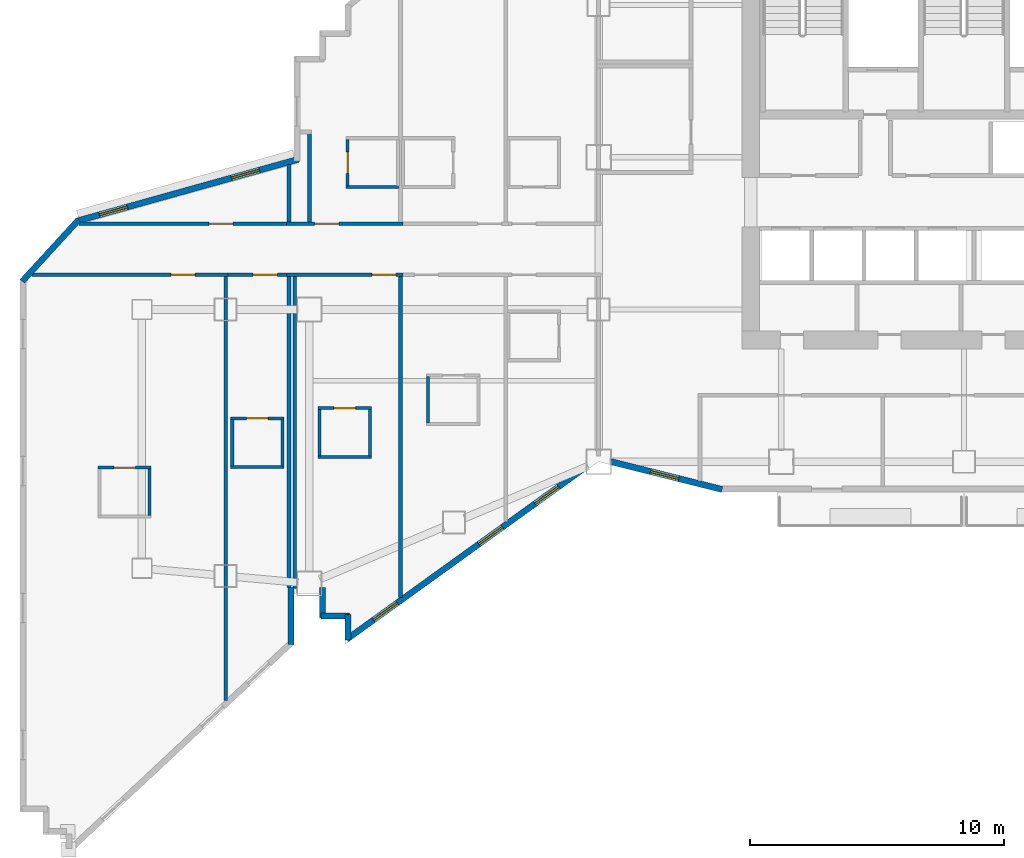
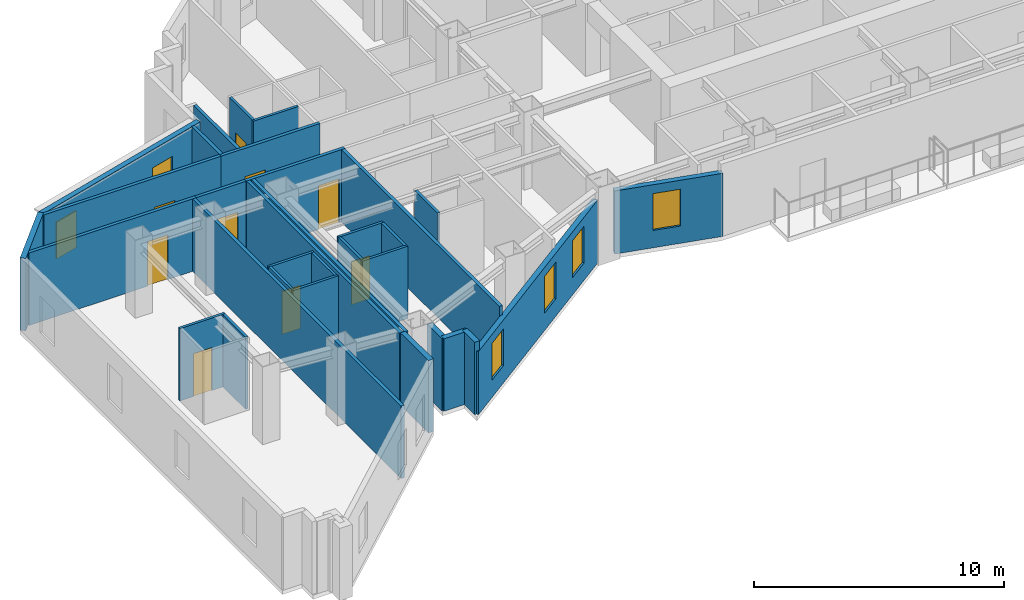
# One storey, part 7 of 15: 32 walls, 9 doors, 6 windows, 15 openings.
"""IFC4 building model written with IfcOpenShell, lengths in metres."""

from ifc_helpers import new_model, si_unit, direction, frame, frame_2d, origin, place, context, subcontext, project, spatial, rectangle, extrude, material, layer, layer_set, type_object, element, fill, save


model = new_model("IFC4")

# Units and contexts
model_context = context("Model", 3, precision=1e-05, world=origin(), true_north=direction((0.0, 1.0)))
body_context = subcontext(model_context, "Body", "Model", "MODEL_VIEW")
ifc_project = project(units=[si_unit("LENGTHUNIT", "METRE"), si_unit("AREAUNIT", "SQUARE_METRE"), si_unit("VOLUMEUNIT", "CUBIC_METRE"), si_unit("PLANEANGLEUNIT", "RADIAN"), si_unit("MASSUNIT", "GRAM", prefix="KILO")], contexts=[model_context])

# Site, building, storey
site_placement = place(None, origin())
site = spatial("IfcSite", under=ifc_project, at=site_placement, CompositionType="ELEMENT")
building_placement = place(site_placement, origin())
building = spatial("IfcBuilding", under=site, at=building_placement, Name="Haolan Belvedere Tower", CompositionType="ELEMENT")
storey_placement = place(building_placement, frame((0.0, 0.0, 156.199951171875)))
storey = spatial("IfcBuildingStorey", under=building, at=storey_placement, Name="L39", CompositionType="ELEMENT", Elevation=156.199951171875)

# Walls
ifc_material_1 = material(Name="Precast concrete C40/50", Category="concrete")
ifc_layer_1 = layer(ifc_material_1, 0.239990234375, Name="Precast concrete C40/50")
ifc_layer_set_1 = layer_set([ifc_layer_1], Name="Precast concrete C40/50")
wall_type_1 = type_object("IfcWallType", Name="WL-EXT-240", PredefinedType="SOLIDWALL", material=ifc_layer_set_1)
wall_1_placement = place(storey_placement, frame((13.1201171875, 16.639892578125, 0.0), z_axis=(0.0, 0.0, 1.0), x_axis=(0.0, -1.0, 0.0)))
element("IfcWall", 1, at=wall_1_placement, inside=storey, type_object=wall_type_1, Name="L39 pale-metal exterior spandrel wall 2.1", PredefinedType="SOLIDWALL", context=body_context, shape_type="SweptSolid", body=[
    extrude(rectangle(XDim=1.1748046875, YDim=0.239990234375, at=frame_2d((0.58740234375, 0.0))), origin(), (0.0, 0.0, 1.0), 3.5400390625),
])
wall_2_placement = place(storey_placement, frame((13.06494140625, 15.52001953125, 0.0), z_axis=(0.0, 0.0, 1.0), x_axis=(1.0, 0.0, 0.0)))
element("IfcWall", 2, at=wall_2_placement, inside=storey, type_object=wall_type_1, Name="L39 pale-metal exterior spandrel wall 3.1", PredefinedType="SOLIDWALL", context=body_context, shape_type="SweptSolid", body=[
    extrude(rectangle(XDim=1.110107421875, YDim=0.239990234375, at=frame_2d((0.55517578125, 0.0))), origin(), (0.0, 0.0, 1.0), 3.5400390625),
])
wall_3_placement = place(storey_placement, frame((14.1201171875, 15.574951171875, 0.0), z_axis=(0.0, 0.0, 1.0), x_axis=(0.0, -1.0, 0.0)))
element("IfcWall", 3, at=wall_3_placement, inside=storey, type_object=wall_type_1, Name="L39 pale-metal exterior spandrel wall 4.1", PredefinedType="SOLIDWALL", context=body_context, shape_type="SweptSolid", body=[
    extrude(rectangle(XDim=0.99560546875, YDim=0.239990234375, at=frame_2d((0.497802734375, 0.0))), origin(), (0.0, 0.0, 1.0), 3.5400390625),
])

# Wall, openings, windows
wall_4_placement = place(storey_placement, frame((14.075439453125, 14.602294921875, 0.0), z_axis=(0.0, 0.0, 1.0), x_axis=(0.811543504691, 0.584291998913, 0.0)))
wall_4 = element("IfcWall", 4, at=wall_4_placement, inside=storey, type_object=wall_type_1, Name="L39 pale-metal exterior spandrel wall 5.1", PredefinedType="SOLIDWALL", context=body_context, shape_type="SweptSolid", body=[
    extrude(rectangle(XDim=11.623046875, YDim=0.239990234375, at=frame_2d((5.8115234375, 0.0))), origin(), (0.0, 0.0, 1.0), 3.0849609375),
])
opening_1_placement = place(wall_4_placement, frame((1.29638671875, 0.0, 0.85009765625)))
opening_1 = element("IfcOpeningElement", 5, at=opening_1_placement, cuts=wall_4, Name="Opening W-02", PredefinedType="OPENING", context=body_context, shape_type="SweptSolid", body=[
    extrude(rectangle(XDim=1.14990234375, YDim=1.800048828125, at=frame_2d((0.574951171875, 0.89990234375))), frame((0.0, 0.1298828125, 0.0), z_axis=(0.0, -1.0, 0.0), x_axis=(1.0, 0.0, 0.0)), (0.0, 0.0, 1.0), 0.260009765625),
])
opening_2_placement = place(wall_4_placement, frame((6.409912109375, 0.0, 0.85009765625)))
opening_2 = element("IfcOpeningElement", 6, at=opening_2_placement, cuts=wall_4, Name="Opening W-02", PredefinedType="OPENING", context=body_context, shape_type="SweptSolid", body=[
    extrude(rectangle(XDim=1.14990234375, YDim=1.800048828125, at=frame_2d((0.574951171875, 0.89990234375))), frame((0.0, 0.1298828125, 0.0), z_axis=(0.0, -1.0, 0.0), x_axis=(1.0, 0.0, 0.0)), (0.0, 0.0, 1.0), 0.260009765625),
])
opening_3_placement = place(wall_4_placement, frame((9.140869140625, 0.0, 0.85009765625)))
opening_3 = element("IfcOpeningElement", 7, at=opening_3_placement, cuts=wall_4, Name="Opening W-02", PredefinedType="OPENING", context=body_context, shape_type="SweptSolid", body=[
    extrude(rectangle(XDim=1.14990234375, YDim=1.800048828125, at=frame_2d((0.574951171875, 0.89990234375))), frame((0.0, 0.1298828125, 0.0), z_axis=(0.0, -1.0, 0.0), x_axis=(1.0, 0.0, 0.0)), (0.0, 0.0, 1.0), 0.260009765625),
])
ifc_material_2 = material(Name="Anodised aluminium 6063-T6 and Low-E glass", Category="aluminium")
window_type = type_object("IfcWindowType", Name="WN-DECO-Z2", PartitioningType="SINGLE_PANEL", PredefinedType="WINDOW", material=ifc_material_2)
window_1_placement = place(opening_1_placement, origin())
window_1 = element("IfcWindow", 8, at=window_1_placement, inside=storey, type_object=window_type, Name="L39 Art Deco chevron window 1", OverallHeight=1.800048828125, OverallWidth=1.14990234375, PartitioningType="SINGLE_PANEL", PredefinedType="WINDOW", context=body_context, shape_type="SweptSolid", body=[
    extrude(rectangle(XDim=1.14990234375, YDim=1.800048828125, at=frame_2d((0.574951171875, 0.89990234375))), frame((0.0, 0.030029296875, 0.0), z_axis=(0.0, -1.0, 0.0), x_axis=(1.0, 0.0, 0.0)), (0.0, 0.0, 1.0), 0.06005859375),
])
fill(opening_1, window_1)
window_2_placement = place(opening_2_placement, origin())
window_2 = element("IfcWindow", 9, at=window_2_placement, inside=storey, type_object=window_type, Name="L39 Art Deco chevron window 2", OverallHeight=1.800048828125, OverallWidth=1.14990234375, PartitioningType="SINGLE_PANEL", PredefinedType="WINDOW", context=body_context, shape_type="SweptSolid", body=[
    extrude(rectangle(XDim=1.14990234375, YDim=1.800048828125, at=frame_2d((0.574951171875, 0.89990234375))), frame((0.0, 0.030029296875, 0.0), z_axis=(0.0, -1.0, 0.0), x_axis=(1.0, 0.0, 0.0)), (0.0, 0.0, 1.0), 0.06005859375),
])
fill(opening_2, window_2)
window_3_placement = place(opening_3_placement, origin())
window_3 = element("IfcWindow", 10, at=window_3_placement, inside=storey, type_object=window_type, Name="L39 Art Deco guestroom window 2", OverallHeight=1.800048828125, OverallWidth=1.14990234375, PartitioningType="SINGLE_PANEL", PredefinedType="WINDOW", context=body_context, shape_type="SweptSolid", body=[
    extrude(rectangle(XDim=1.14990234375, YDim=1.800048828125, at=frame_2d((0.574951171875, 0.89990234375))), frame((0.0, 0.030029296875, 0.0), z_axis=(0.0, -1.0, 0.0), x_axis=(1.0, 0.0, 0.0)), (0.0, 0.0, 1.0), 0.06005859375),
])
fill(opening_3, window_3)

# Wall, opening, window
wall_5_placement = place(storey_placement, frame((24.491943359375, 21.6005859375, 0.0), z_axis=(0.0, 0.0, 1.0), x_axis=(0.970145683738, -0.242522890311, 0.0)))
wall_5 = element("IfcWall", 11, at=wall_5_placement, inside=storey, type_object=wall_type_1, Name="L39 pale-metal exterior spandrel wall 6.1", PredefinedType="SOLIDWALL", context=body_context, shape_type="SweptSolid", body=[
    extrude(rectangle(XDim=4.510986328125, YDim=0.239990234375, at=frame_2d((2.25537109375, 0.0))), origin(), (0.0, 0.0, 1.0), 3.0849609375),
])
opening_4_placement = place(wall_5_placement, frame((1.60009765625, 0.0, 0.85009765625)))
opening_4 = element("IfcOpeningElement", 12, at=opening_4_placement, cuts=wall_5, Name="Opening W-02", PredefinedType="OPENING", context=body_context, shape_type="SweptSolid", body=[
    extrude(rectangle(XDim=1.14990234375, YDim=1.800048828125, at=frame_2d((0.574951171875, 0.89990234375))), frame((0.0, 0.1298828125, 0.0), z_axis=(0.0, -1.0, 0.0), x_axis=(1.0, 0.0, 0.0)), (0.0, 0.0, 1.0), 0.260009765625),
])
window_4_placement = place(opening_4_placement, origin())
window_4 = element("IfcWindow", 13, at=window_4_placement, inside=storey, type_object=window_type, Name="L39 Art Deco chevron window 1", OverallHeight=1.800048828125, OverallWidth=1.14990234375, PartitioningType="SINGLE_PANEL", PredefinedType="WINDOW", context=body_context, shape_type="SweptSolid", body=[
    extrude(rectangle(XDim=1.14990234375, YDim=1.800048828125, at=frame_2d((0.574951171875, 0.89990234375))), frame((0.0, 0.030029296875, 0.0), z_axis=(0.0, -1.0, 0.0), x_axis=(1.0, 0.0, 0.0)), (0.0, 0.0, 1.0), 0.06005859375),
])
fill(opening_4, window_4)

# Wall, openings, windows
wall_6_placement = place(storey_placement, frame((12.173095703125, 33.523681640625, 0.0), z_axis=(0.0, 0.0, 1.0), x_axis=(-0.963197271032, -0.268795493036, 0.0)))
wall_6 = element("IfcWall", 14, at=wall_6_placement, inside=storey, type_object=wall_type_1, Name="L39 pale-metal exterior spandrel wall 42.1", PredefinedType="SOLIDWALL", context=body_context, shape_type="SweptSolid", body=[
    extrude(rectangle(XDim=9.095458984375, YDim=0.239990234375, at=frame_2d((4.5478515625, 0.0))), origin(), (0.0, 0.0, 1.0), 3.5400390625),
])
opening_5_placement = place(wall_6_placement, frame((1.60009765625, 0.0, 0.85009765625)))
opening_5 = element("IfcOpeningElement", 15, at=opening_5_placement, cuts=wall_6, Name="Opening W-02", PredefinedType="OPENING", context=body_context, shape_type="SweptSolid", body=[
    extrude(rectangle(XDim=1.14990234375, YDim=1.800048828125, at=frame_2d((0.574951171875, 0.89990234375))), frame((0.0, 0.1298828125, 0.0), z_axis=(0.0, -1.0, 0.0), x_axis=(1.0, 0.0, 0.0)), (0.0, 0.0, 1.0), 0.260009765625),
])
opening_6_placement = place(wall_6_placement, frame((7.0, 0.0, 0.85009765625)))
opening_6 = element("IfcOpeningElement", 16, at=opening_6_placement, cuts=wall_6, Name="Opening W-02", PredefinedType="OPENING", context=body_context, shape_type="SweptSolid", body=[
    extrude(rectangle(XDim=1.14990234375, YDim=1.800048828125, at=frame_2d((0.574951171875, 0.89990234375))), frame((0.0, 0.1298828125, 0.0), z_axis=(0.0, -1.0, 0.0), x_axis=(1.0, 0.0, 0.0)), (0.0, 0.0, 1.0), 0.260009765625),
])
window_5_placement = place(opening_5_placement, origin())
window_5 = element("IfcWindow", 17, at=window_5_placement, inside=storey, type_object=window_type, Name="L39 Art Deco chevron window 1", OverallHeight=1.800048828125, OverallWidth=1.14990234375, PartitioningType="SINGLE_PANEL", PredefinedType="WINDOW", context=body_context, shape_type="SweptSolid", body=[
    extrude(rectangle(XDim=1.14990234375, YDim=1.800048828125, at=frame_2d((0.574951171875, 0.89990234375))), frame((0.0, 0.030029296875, 0.0), z_axis=(0.0, -1.0, 0.0), x_axis=(1.0, 0.0, 0.0)), (0.0, 0.0, 1.0), 0.06005859375),
])
fill(opening_5, window_5)
window_6_placement = place(opening_6_placement, origin())
window_6 = element("IfcWindow", 18, at=window_6_placement, inside=storey, type_object=window_type, Name="L39 Art Deco chevron window 2", OverallHeight=1.800048828125, OverallWidth=1.14990234375, PartitioningType="SINGLE_PANEL", PredefinedType="WINDOW", context=body_context, shape_type="SweptSolid", body=[
    extrude(rectangle(XDim=1.14990234375, YDim=1.800048828125, at=frame_2d((0.574951171875, 0.89990234375))), frame((0.0, 0.030029296875, 0.0), z_axis=(0.0, -1.0, 0.0), x_axis=(1.0, 0.0, 0.0)), (0.0, 0.0, 1.0), 0.06005859375),
])
fill(opening_6, window_6)

# Walls
wall_7_placement = place(storey_placement, frame((3.50244140625, 31.134033203125, 0.0), z_axis=(0.0, 0.0, 1.0), x_axis=(-0.675781844312, -0.737101688302, 0.0)))
element("IfcWall", 19, at=wall_7_placement, inside=storey, type_object=wall_type_1, Name="L39 pale-metal exterior spandrel wall 43.1", PredefinedType="SOLIDWALL", context=body_context, shape_type="SweptSolid", body=[
    extrude(rectangle(XDim=3.28466796875, YDim=0.239990234375, at=frame_2d((1.642333984375, 0.0))), origin(), (0.0, 0.0, 1.0), 3.5400390625),
])
wall_8_placement = place(storey_placement, frame((11.8798828125, 14.397216796875, 0.0), z_axis=(0.0, 0.0, 1.0), x_axis=(0.0, 1.0, 0.0)))
element("IfcWall", 20, at=wall_8_placement, inside=storey, type_object=wall_type_1, Name="L39 pale-metal exterior spandrel wall 50.1", PredefinedType="SOLIDWALL", context=body_context, shape_type="SweptSolid", body=[
    extrude(rectangle(XDim=2.24267578125, YDim=0.239990234375, at=frame_2d((1.121337890625, 0.0))), origin(), (0.0, 0.0, 1.0), 3.5400390625),
])

# Wall, opening, door
ifc_material_3 = material(Name="Double gypsum acoustic stud partition", Category="masonry")
ifc_layer_2 = layer(ifc_material_3, 0.14990234375, Name="Double gypsum acoustic stud partition")
ifc_layer_set_2 = layer_set([ifc_layer_2], Name="Double gypsum acoustic stud partition")
wall_type_2 = type_object("IfcWallType", Name="WL-PART-150", PredefinedType="PARTITIONING", material=ifc_layer_set_2)
wall_9_placement = place(storey_placement, frame((11.699951171875, 30.97998046875, 0.0), z_axis=(0.0, 0.0, 1.0), x_axis=(1.0, 0.0, 0.0)))
wall_9 = element("IfcWall", 21, at=wall_9_placement, inside=storey, type_object=wall_type_2, Name="L39 interior partition IW-L39-T2N1-S", PredefinedType="PARTITIONING", context=body_context, shape_type="SweptSolid", body=[
    extrude(rectangle(XDim=4.590087890625, YDim=0.14990234375, at=frame_2d((2.294921875, 0.0))), origin(), (0.0, 0.0, 1.0), 3.5400390625),
])
opening_7_placement = place(wall_9_placement, frame((1.108642578125, 0.0, 0.0)))
opening_7 = element("IfcOpeningElement", 22, at=opening_7_placement, cuts=wall_9, Name="Opening ID-02", PredefinedType="OPENING", context=body_context, shape_type="SweptSolid", body=[
    extrude(rectangle(XDim=0.949951171875, YDim=2.14990234375, at=frame_2d((0.47509765625, 1.074951171875))), frame((0.0, 0.0849609375, 0.0), z_axis=(0.0, -1.0, 0.0), x_axis=(1.0, 0.0, 0.0)), (0.0, 0.0, 1.0), 0.169921875),
])
ifc_material_4 = material(Name="Acoustic oak veneer fire-rated timber", Category="wood")
door_type_1 = type_object("IfcDoorType", Name="DR-GUEST-950", OperationType="NOTDEFINED", PredefinedType="DOOR", material=ifc_material_4)
door_1_placement = place(opening_7_placement, origin())
door_1 = element("IfcDoor", 23, at=door_1_placement, inside=storey, type_object=door_type_1, Name="L39 door ID-L39-T2N1-ENT", OperationType="SINGLE_SWING_LEFT", OverallHeight=2.14990234375, OverallWidth=0.949951171875, PredefinedType="DOOR", context=body_context, shape_type="SweptSolid", body=[
    extrude(rectangle(XDim=0.949951171875, YDim=2.14990234375, at=frame_2d((0.47509765625, 1.074951171875))), frame((0.0, 0.02490234375, 0.0), z_axis=(0.0, -1.0, 0.0), x_axis=(1.0, 0.0, 0.0)), (0.0, 0.0, 1.0), 0.050048828125),
])
fill(opening_7, door_1)

# Wall
wall_10_placement = place(storey_placement, frame((11.800048828125, 31.0400390625, 0.0), z_axis=(0.0, 0.0, 1.0), x_axis=(0.0, 1.0, 0.0)))
element("IfcWall", 24, at=wall_10_placement, inside=storey, type_object=wall_type_2, Name="L39 interior partition IW-L39-T2N1-W", PredefinedType="PARTITIONING", context=body_context, shape_type="SweptSolid", body=[
    extrude(rectangle(XDim=2.2705078125, YDim=0.14990234375, at=frame_2d((1.13525390625, 0.0))), origin(), (0.0, 0.0, 1.0), 3.5400390625),
])

# Wall, opening, door
wall_11_placement = place(storey_placement, frame((11.699951171875, 28.969970703125, 0.0), z_axis=(0.0, 0.0, 1.0), x_axis=(1.0, 0.0, 0.0)))
wall_11 = element("IfcWall", 25, at=wall_11_placement, inside=storey, type_object=wall_type_2, Name="L39 interior partition IW-L39-T2S1-N", PredefinedType="PARTITIONING", context=body_context, shape_type="SweptSolid", body=[
    extrude(rectangle(XDim=4.590087890625, YDim=0.14990234375, at=frame_2d((2.294921875, 0.0))), origin(), (0.0, 0.0, 1.0), 3.5400390625),
])
opening_8_placement = place(wall_11_placement, frame((4.311279296875, 0.0, 0.0), z_axis=(0.0, 0.0, 1.0), x_axis=(-1.0, 0.0, 0.0)))
opening_8 = element("IfcOpeningElement", 26, at=opening_8_placement, cuts=wall_11, Name="Opening ID-02", PredefinedType="OPENING", context=body_context, shape_type="SweptSolid", body=[
    extrude(rectangle(XDim=0.949951171875, YDim=2.14990234375, at=frame_2d((0.47509765625, 1.074951171875))), frame((0.0, 0.0849609375, 0.0), z_axis=(0.0, -1.0, 0.0), x_axis=(1.0, 0.0, 0.0)), (0.0, 0.0, 1.0), 0.169921875),
])
door_2_placement = place(opening_8_placement, origin())
door_2 = element("IfcDoor", 27, at=door_2_placement, inside=storey, type_object=door_type_1, Name="L39 door ID-L39-T2S1-ENT", OperationType="SINGLE_SWING_RIGHT", OverallHeight=2.14990234375, OverallWidth=0.949951171875, PredefinedType="DOOR", context=body_context, shape_type="SweptSolid", body=[
    extrude(rectangle(XDim=0.949951171875, YDim=2.14990234375, at=frame_2d((0.47509765625, 1.074951171875))), frame((0.0, 0.02490234375, 0.0), z_axis=(0.0, -1.0, 0.0), x_axis=(1.0, 0.0, 0.0)), (0.0, 0.0, 1.0), 0.050048828125),
])
fill(opening_8, door_2)

# Walls
wall_12_placement = place(storey_placement, frame((11.800048828125, 16.64208984375, 0.0), z_axis=(0.0, 0.0, 1.0), x_axis=(0.0, 1.0, 0.0)))
element("IfcWall", 28, at=wall_12_placement, inside=storey, type_object=wall_type_2, Name="L39 interior partition IW-L39-T2S1-W", PredefinedType="PARTITIONING", context=body_context, shape_type="SweptSolid", body=[
    extrude(rectangle(XDim=12.267822265625, YDim=0.14990234375, at=frame_2d((6.1337890625, 0.0))), origin(), (0.0, 0.0, 1.0), 3.5400390625),
])
wall_13_placement = place(storey_placement, frame((16.18994140625, 16.254150390625, 0.0), z_axis=(0.0, 0.0, 1.0), x_axis=(0.0, 1.0, 0.0)))
element("IfcWall", 29, at=wall_13_placement, inside=storey, type_object=wall_type_2, Name="L39 interior partition IW-L39-T2S1-E", PredefinedType="PARTITIONING", context=body_context, shape_type="SweptSolid", body=[
    extrude(rectangle(XDim=12.65576171875, YDim=0.14990234375, at=frame_2d((6.327880859375, 0.0))), origin(), (0.0, 0.0, 1.0), 3.5400390625),
])

# Wall, opening, door
wall_14_placement = place(storey_placement, frame((1.660888671875, 28.969970703125, 0.0), z_axis=(0.0, 0.0, 1.0), x_axis=(1.0, 0.0, 0.0)))
wall_14 = element("IfcWall", 30, at=wall_14_placement, inside=storey, type_object=wall_type_2, Name="L39 interior partition IW-L39-T1S1-N", PredefinedType="PARTITIONING", context=body_context, shape_type="SweptSolid", body=[
    extrude(rectangle(XDim=7.739013671875, YDim=0.14990234375, at=frame_2d((3.86962890625, 0.0))), origin(), (0.0, 0.0, 1.0), 3.5400390625),
])
opening_9_placement = place(wall_14_placement, frame((6.434326171875, 0.0, 0.0), z_axis=(0.0, 0.0, 1.0), x_axis=(-1.0, 0.0, 0.0)))
opening_9 = element("IfcOpeningElement", 31, at=opening_9_placement, cuts=wall_14, Name="Opening ID-01", PredefinedType="OPENING", context=body_context, shape_type="SweptSolid", body=[
    extrude(rectangle(XDim=0.949951171875, YDim=2.179931640625, at=frame_2d((0.47509765625, 1.08984375))), frame((0.0, 0.0849609375, 0.0), z_axis=(0.0, -1.0, 0.0), x_axis=(1.0, 0.0, 0.0)), (0.0, 0.0, 1.0), 0.169921875),
])
ifc_material_5 = material(Name="Acoustic walnut veneer fire-rated timber", Category="wood")
door_type_2 = type_object("IfcDoorType", Name="DR-SUITE-950", OperationType="NOTDEFINED", PredefinedType="DOOR", material=ifc_material_5)
door_3_placement = place(opening_9_placement, origin())
door_3 = element("IfcDoor", 32, at=door_3_placement, inside=storey, type_object=door_type_2, Name="L39 door ID-L39-T1S1-ENT", OperationType="SINGLE_SWING_LEFT", OverallHeight=2.179931640625, OverallWidth=0.949951171875, PredefinedType="DOOR", context=body_context, shape_type="SweptSolid", body=[
    extrude(rectangle(XDim=0.949951171875, YDim=2.179931640625, at=frame_2d((0.47509765625, 1.08984375))), frame((0.0, 0.02490234375, 0.0), z_axis=(0.0, -1.0, 0.0), x_axis=(1.0, 0.0, 0.0)), (0.0, 0.0, 1.0), 0.050048828125),
])
fill(opening_9, door_3)

# Wall
wall_15_placement = place(storey_placement, frame((9.300048828125, 12.187744140625, 0.0), z_axis=(0.0, 0.0, 1.0), x_axis=(0.0, 1.0, 0.0)))
element("IfcWall", 33, at=wall_15_placement, inside=storey, type_object=wall_type_2, Name="L39 interior partition IW-L39-T1S1-E", PredefinedType="PARTITIONING", context=body_context, shape_type="SweptSolid", body=[
    extrude(rectangle(XDim=16.72216796875, YDim=0.14990234375, at=frame_2d((8.361083984375, 0.0))), origin(), (0.0, 0.0, 1.0), 3.5400390625),
])

# Wall, opening, door
wall_16_placement = place(storey_placement, frame((9.402099609375, 28.969970703125, 0.0), z_axis=(0.0, 0.0, 1.0), x_axis=(1.0, 0.0, 0.0)))
wall_16 = element("IfcWall", 34, at=wall_16_placement, inside=storey, type_object=wall_type_2, Name="L39 interior partition IW-L39-T1S2-N", PredefinedType="PARTITIONING", context=body_context, shape_type="SweptSolid", body=[
    extrude(rectangle(XDim=2.2958984375, YDim=0.14990234375, at=frame_2d((1.14794921875, 0.0))), origin(), (0.0, 0.0, 1.0), 3.5400390625),
])
opening_10_placement = place(wall_16_placement, frame((1.93408203125, 0.0, 0.0), z_axis=(0.0, 0.0, 1.0), x_axis=(-1.0, 0.0, 0.0)))
opening_10 = element("IfcOpeningElement", 35, at=opening_10_placement, cuts=wall_16, Name="Opening ID-02", PredefinedType="OPENING", context=body_context, shape_type="SweptSolid", body=[
    extrude(rectangle(XDim=0.949951171875, YDim=2.14990234375, at=frame_2d((0.47509765625, 1.074951171875))), frame((0.0, 0.0849609375, 0.0), z_axis=(0.0, -1.0, 0.0), x_axis=(1.0, 0.0, 0.0)), (0.0, 0.0, 1.0), 0.169921875),
])
door_4_placement = place(opening_10_placement, origin())
door_4 = element("IfcDoor", 36, at=door_4_placement, inside=storey, type_object=door_type_1, Name="L39 door ID-L39-T1S2-ENT", OperationType="SINGLE_SWING_RIGHT", OverallHeight=2.14990234375, OverallWidth=0.949951171875, PredefinedType="DOOR", context=body_context, shape_type="SweptSolid", body=[
    extrude(rectangle(XDim=0.949951171875, YDim=2.14990234375, at=frame_2d((0.47509765625, 1.074951171875))), frame((0.0, 0.02490234375, 0.0), z_axis=(0.0, -1.0, 0.0), x_axis=(1.0, 0.0, 0.0)), (0.0, 0.0, 1.0), 0.050048828125),
])
fill(opening_10, door_4)

# Wall
wall_17_placement = place(storey_placement, frame((12.02001953125, 16.612060546875, 0.0), z_axis=(0.0, 0.0, 1.0), x_axis=(0.0, 1.0, 0.0)))
element("IfcWall", 37, at=wall_17_placement, inside=storey, type_object=wall_type_2, Name="L39 interior partition IW-L39-T1S2-E", PredefinedType="PARTITIONING", context=body_context, shape_type="SweptSolid", body=[
    extrude(rectangle(XDim=12.2978515625, YDim=0.14990234375, at=frame_2d((6.14892578125, 0.0))), origin(), (0.0, 0.0, 1.0), 3.5400390625),
])

# Wall, opening, door
wall_18_placement = place(storey_placement, frame((3.51220703125, 30.97998046875, 0.0), z_axis=(0.0, 0.0, 1.0), x_axis=(1.0, 0.0, 0.0)))
wall_18 = element("IfcWall", 38, at=wall_18_placement, inside=storey, type_object=wall_type_2, Name="L39 interior partition IW-L39-T1N1-S", PredefinedType="PARTITIONING", context=body_context, shape_type="SweptSolid", body=[
    extrude(rectangle(XDim=8.185791015625, YDim=0.14990234375, at=frame_2d((4.0927734375, 0.0))), origin(), (0.0, 0.0, 1.0), 3.5400390625),
])
opening_11_placement = place(wall_18_placement, frame((5.12548828125, 0.0, 0.0)))
opening_11 = element("IfcOpeningElement", 39, at=opening_11_placement, cuts=wall_18, Name="Opening ID-03", PredefinedType="OPENING", context=body_context, shape_type="SweptSolid", body=[
    extrude(rectangle(XDim=0.949951171875, YDim=2.1201171875, at=frame_2d((0.47509765625, 1.06005859375))), frame((0.0, 0.0849609375, 0.0), z_axis=(0.0, -1.0, 0.0), x_axis=(1.0, 0.0, 0.0)), (0.0, 0.0, 1.0), 0.169921875),
])
ifc_material_6 = material(Name="Painted solid-core timber", Category="wood")
door_type_3 = type_object("IfcDoorType", Name="DR-INT-950", OperationType="NOTDEFINED", PredefinedType="DOOR", material=ifc_material_6)
door_5_placement = place(opening_11_placement, origin())
door_5 = element("IfcDoor", 40, at=door_5_placement, inside=storey, type_object=door_type_3, Name="L39 door ID-L39-T1N1", OperationType="SINGLE_SWING_LEFT", OverallHeight=2.1201171875, OverallWidth=0.949951171875, PredefinedType="DOOR", context=body_context, shape_type="SweptSolid", body=[
    extrude(rectangle(XDim=0.949951171875, YDim=2.1201171875, at=frame_2d((0.47509765625, 1.06005859375))), frame((0.0, 0.02490234375, 0.0), z_axis=(0.0, -1.0, 0.0), x_axis=(1.0, 0.0, 0.0)), (0.0, 0.0, 1.0), 0.050048828125),
])
fill(opening_11, door_5)

# Walls
wall_19_placement = place(storey_placement, frame((12.60009765625, 31.0400390625, 0.0), z_axis=(0.0, 0.0, 1.0), x_axis=(0.0, 1.0, 0.0)))
element("IfcWall", 41, at=wall_19_placement, inside=storey, type_object=wall_type_2, Name="L39 interior partition IW-L39-T1N1-E", PredefinedType="PARTITIONING", context=body_context, shape_type="SweptSolid", body=[
    extrude(rectangle(XDim=3.5, YDim=0.14990234375, at=frame_2d((1.75, 0.0))), origin(), (0.0, 0.0, 1.0), 3.5400390625),
])
ifc_material_7 = material(Name="Moisture-resistant gypsum tile partition", Category="masonry")
ifc_layer_3 = layer(ifc_material_7, 0.1201171875, Name="Moisture-resistant gypsum tile partition")
ifc_layer_set_3 = layer_set([ifc_layer_3], Name="Moisture-resistant gypsum tile partition")
wall_type_3 = type_object("IfcWallType", Name="WL-WET-120", PredefinedType="PARTITIONING", material=ifc_layer_set_3)
wall_20_placement = place(storey_placement, frame((14.050048828125, 32.429931640625, 0.0), z_axis=(0.0, 0.0, 1.0), x_axis=(1.0, 0.0, 0.0)))
element("IfcWall", 42, at=wall_20_placement, inside=storey, type_object=wall_type_3, Name="L39 interior partition IW-L39-T2N1-BS", PredefinedType="PARTITIONING", context=body_context, shape_type="SweptSolid", body=[
    extrude(rectangle(XDim=2.079833984375, YDim=0.1201171875, at=frame_2d((1.0400390625, 0.0))), origin(), (0.0, 0.0, 1.0), 3.5400390625),
])

# Wall, opening, door
wall_21_placement = place(storey_placement, frame((14.110107421875, 32.47509765625, 0.0), z_axis=(0.0, 0.0, 1.0), x_axis=(0.0, 1.0, 0.0)))
wall_21 = element("IfcWall", 43, at=wall_21_placement, inside=storey, type_object=wall_type_3, Name="L39 interior partition IW-L39-T2N1-BW", PredefinedType="PARTITIONING", context=body_context, shape_type="SweptSolid", body=[
    extrude(rectangle(XDim=1.829833984375, YDim=0.1201171875, at=frame_2d((0.9150390625, 0.0))), origin(), (0.0, 0.0, 1.0), 3.5400390625),
])
opening_12_placement = place(wall_21_placement, frame((1.340087890625, 0.0, 0.0), z_axis=(0.0, 0.0, 1.0), x_axis=(-1.0, 0.0, 0.0)))
opening_12 = element("IfcOpeningElement", 44, at=opening_12_placement, cuts=wall_21, Name="Opening ID-05", PredefinedType="OPENING", context=body_context, shape_type="SweptSolid", body=[
    extrude(rectangle(XDim=0.85009765625, YDim=2.10009765625, at=frame_2d((0.425048828125, 1.050048828125))), frame((0.0, 0.070068359375, 0.0), z_axis=(0.0, -1.0, 0.0), x_axis=(1.0, 0.0, 0.0)), (0.0, 0.0, 1.0), 0.14013671875),
])
ifc_material_8 = material(Name="Moisture-resistant lacquered timber", Category="wood")
door_type_4 = type_object("IfcDoorType", Name="DR-BATH-850", OperationType="NOTDEFINED", PredefinedType="DOOR", material=ifc_material_8)
door_6_placement = place(opening_12_placement, origin())
door_6 = element("IfcDoor", 45, at=door_6_placement, inside=storey, type_object=door_type_4, Name="L39 door ID-L39-T2N1-BATH", OperationType="SINGLE_SWING_RIGHT", OverallHeight=2.10009765625, OverallWidth=0.85009765625, PredefinedType="DOOR", context=body_context, shape_type="SweptSolid", body=[
    extrude(rectangle(XDim=0.85009765625, YDim=2.10009765625, at=frame_2d((0.425048828125, 1.050048828125))), frame((0.0, 0.02490234375, 0.0), z_axis=(0.0, -1.0, 0.0), x_axis=(1.0, 0.0, 0.0)), (0.0, 0.0, 1.0), 0.050048828125),
])
fill(opening_12, door_6)

wall_22_placement = place(storey_placement, frame((12.945068359375, 23.7099609375, 0.0), z_axis=(0.0, 0.0, 1.0), x_axis=(1.0, 0.0, 0.0)))
wall_22 = element("IfcWall", 46, at=wall_22_placement, inside=storey, type_object=wall_type_3, Name="L39 interior partition IW-L39-T2S1-BN", PredefinedType="PARTITIONING", context=body_context, shape_type="SweptSolid", body=[
    extrude(rectangle(XDim=2.099853515625, YDim=0.1201171875, at=frame_2d((1.0498046875, 0.0))), origin(), (0.0, 0.0, 1.0), 3.5400390625),
])
opening_13_placement = place(wall_22_placement, frame((1.47509765625, 0.0, 0.0), z_axis=(0.0, 0.0, 1.0), x_axis=(-1.0, 0.0, 0.0)))
opening_13 = element("IfcOpeningElement", 47, at=opening_13_placement, cuts=wall_22, Name="Opening ID-05", PredefinedType="OPENING", context=body_context, shape_type="SweptSolid", body=[
    extrude(rectangle(XDim=0.85009765625, YDim=2.10009765625, at=frame_2d((0.425048828125, 1.050048828125))), frame((0.0, 0.070068359375, 0.0), z_axis=(0.0, -1.0, 0.0), x_axis=(1.0, 0.0, 0.0)), (0.0, 0.0, 1.0), 0.14013671875),
])
door_7_placement = place(opening_13_placement, origin())
door_7 = element("IfcDoor", 48, at=door_7_placement, inside=storey, type_object=door_type_4, Name="L39 door ID-L39-T2S1-BATH", OperationType="SINGLE_SWING_LEFT", OverallHeight=2.10009765625, OverallWidth=0.85009765625, PredefinedType="DOOR", context=body_context, shape_type="SweptSolid", body=[
    extrude(rectangle(XDim=0.85009765625, YDim=2.10009765625, at=frame_2d((0.425048828125, 1.050048828125))), frame((0.0, 0.02490234375, 0.0), z_axis=(0.0, -1.0, 0.0), x_axis=(1.0, 0.0, 0.0)), (0.0, 0.0, 1.0), 0.050048828125),
])
fill(opening_13, door_7)

# Walls
wall_23_placement = place(storey_placement, frame((12.945068359375, 21.7900390625, 0.0), z_axis=(0.0, 0.0, 1.0), x_axis=(1.0, 0.0, 0.0)))
element("IfcWall", 49, at=wall_23_placement, inside=storey, type_object=wall_type_3, Name="L39 interior partition IW-L39-T2S1-BS", PredefinedType="PARTITIONING", context=body_context, shape_type="SweptSolid", body=[
    extrude(rectangle(XDim=2.099853515625, YDim=0.1201171875, at=frame_2d((1.0498046875, 0.0))), origin(), (0.0, 0.0, 1.0), 3.5400390625),
])
for number, where, z_axis, x_axis, name in (
    (50, (13.0048828125, 21.8349609375, 0.0), (0.0, 0.0, 1.0), (0.0, 1.0, 0.0), "L39 interior partition IW-L39-T2S1-BW"),
    (51, (14.985107421875, 21.8349609375, 0.0), (0.0, 0.0, 1.0), (0.0, 1.0, 0.0), "L39 interior partition IW-L39-T2S1-BE"),
):
    element("IfcWall", number, at=place(storey_placement, frame(where, z_axis=z_axis, x_axis=x_axis)), inside=storey, type_object=wall_type_3, Name=name, PredefinedType="PARTITIONING", context=body_context, shape_type="SweptSolid", body=[
        extrude(rectangle(XDim=1.830078125, YDim=0.1201171875, at=frame_2d((0.9150390625, 0.0))), origin(), (0.0, 0.0, 1.0), 3.5400390625),
    ])
wall_24_placement = place(storey_placement, frame((17.282958984375, 23.132080078125, 0.0), z_axis=(0.0, 0.0, 1.0), x_axis=(0.0, 1.0, 0.0)))
element("IfcWall", 52, at=wall_24_placement, inside=storey, type_object=wall_type_3, Name="L39 interior partition IW-L39-T2S2-BW", PredefinedType="PARTITIONING", context=body_context, shape_type="SweptSolid", body=[
    extrude(rectangle(XDim=1.829833984375, YDim=0.1201171875, at=frame_2d((0.9150390625, 0.0))), origin(), (0.0, 0.0, 1.0), 3.5400390625),
])

# Wall, opening, door
wall_25_placement = place(storey_placement, frame((4.264892578125, 21.364013671875, 0.0), z_axis=(0.0, 0.0, 1.0), x_axis=(1.0, 0.0, 0.0)))
wall_25 = element("IfcWall", 53, at=wall_25_placement, inside=storey, type_object=wall_type_3, Name="L39 interior partition IW-L39-T1S1-BN", PredefinedType="PARTITIONING", context=body_context, shape_type="SweptSolid", body=[
    extrude(rectangle(XDim=2.10009765625, YDim=0.1201171875, at=frame_2d((1.050048828125, 0.0))), origin(), (0.0, 0.0, 1.0), 3.5400390625),
])
opening_14_placement = place(wall_25_placement, frame((1.47509765625, 0.0, 0.0), z_axis=(0.0, 0.0, 1.0), x_axis=(-1.0, 0.0, 0.0)))
opening_14 = element("IfcOpeningElement", 54, at=opening_14_placement, cuts=wall_25, Name="Opening ID-05", PredefinedType="OPENING", context=body_context, shape_type="SweptSolid", body=[
    extrude(rectangle(XDim=0.85009765625, YDim=2.10009765625, at=frame_2d((0.425048828125, 1.050048828125))), frame((0.0, 0.070068359375, 0.0), z_axis=(0.0, -1.0, 0.0), x_axis=(1.0, 0.0, 0.0)), (0.0, 0.0, 1.0), 0.14013671875),
])
door_8_placement = place(opening_14_placement, origin())
door_8 = element("IfcDoor", 55, at=door_8_placement, inside=storey, type_object=door_type_4, Name="L39 door ID-L39-T1S1-BATH", OperationType="SINGLE_SWING_RIGHT", OverallHeight=2.10009765625, OverallWidth=0.85009765625, PredefinedType="DOOR", context=body_context, shape_type="SweptSolid", body=[
    extrude(rectangle(XDim=0.85009765625, YDim=2.10009765625, at=frame_2d((0.425048828125, 1.050048828125))), frame((0.0, 0.02490234375, 0.0), z_axis=(0.0, -1.0, 0.0), x_axis=(1.0, 0.0, 0.0)), (0.0, 0.0, 1.0), 0.050048828125),
])
fill(opening_14, door_8)

# Wall
wall_26_placement = place(storey_placement, frame((6.304931640625, 19.489013671875, 0.0), z_axis=(0.0, 0.0, 1.0), x_axis=(0.0, 1.0, 0.0)))
element("IfcWall", 56, at=wall_26_placement, inside=storey, type_object=wall_type_3, Name="L39 interior partition IW-L39-T1S1-BE", PredefinedType="PARTITIONING", context=body_context, shape_type="SweptSolid", body=[
    extrude(rectangle(XDim=1.830078125, YDim=0.1201171875, at=frame_2d((0.9150390625, 0.0))), origin(), (0.0, 0.0, 1.0), 3.5400390625),
])

# Wall, opening, door
wall_27_placement = place(storey_placement, frame((9.5, 23.31005859375, 0.0), z_axis=(0.0, 0.0, 1.0), x_axis=(1.0, 0.0, 0.0)))
wall_27 = element("IfcWall", 57, at=wall_27_placement, inside=storey, type_object=wall_type_3, Name="L39 interior partition IW-L39-T1S2-BN", PredefinedType="PARTITIONING", context=body_context, shape_type="SweptSolid", body=[
    extrude(rectangle(XDim=2.10009765625, YDim=0.1201171875, at=frame_2d((1.050048828125, 0.0))), origin(), (0.0, 0.0, 1.0), 3.5400390625),
])
opening_15_placement = place(wall_27_placement, frame((1.47509765625, 0.0, 0.0), z_axis=(0.0, 0.0, 1.0), x_axis=(-1.0, 0.0, 0.0)))
opening_15 = element("IfcOpeningElement", 58, at=opening_15_placement, cuts=wall_27, Name="Opening ID-05", PredefinedType="OPENING", context=body_context, shape_type="SweptSolid", body=[
    extrude(rectangle(XDim=0.85009765625, YDim=2.10009765625, at=frame_2d((0.425048828125, 1.050048828125))), frame((0.0, 0.070068359375, 0.0), z_axis=(0.0, -1.0, 0.0), x_axis=(1.0, 0.0, 0.0)), (0.0, 0.0, 1.0), 0.14013671875),
])
door_9_placement = place(opening_15_placement, origin())
door_9 = element("IfcDoor", 59, at=door_9_placement, inside=storey, type_object=door_type_4, Name="L39 door ID-L39-T1S2-BATH", OperationType="SINGLE_SWING_LEFT", OverallHeight=2.10009765625, OverallWidth=0.85009765625, PredefinedType="DOOR", context=body_context, shape_type="SweptSolid", body=[
    extrude(rectangle(XDim=0.85009765625, YDim=2.10009765625, at=frame_2d((0.425048828125, 1.050048828125))), frame((0.0, 0.02490234375, 0.0), z_axis=(0.0, -1.0, 0.0), x_axis=(1.0, 0.0, 0.0)), (0.0, 0.0, 1.0), 0.050048828125),
])
fill(opening_15, door_9)

# Walls
wall_28_placement = place(storey_placement, frame((9.5, 21.389892578125, 0.0), z_axis=(0.0, 0.0, 1.0), x_axis=(1.0, 0.0, 0.0)))
element("IfcWall", 60, at=wall_28_placement, inside=storey, type_object=wall_type_3, Name="L39 interior partition IW-L39-T1S2-BS", PredefinedType="PARTITIONING", context=body_context, shape_type="SweptSolid", body=[
    extrude(rectangle(XDim=2.10009765625, YDim=0.1201171875, at=frame_2d((1.050048828125, 0.0))), origin(), (0.0, 0.0, 1.0), 3.5400390625),
])
for number, where, z_axis, x_axis, name in (
    (61, (9.56005859375, 21.43505859375, 0.0), (0.0, 0.0, 1.0), (0.0, 1.0, 0.0), "L39 interior partition IW-L39-T1S2-BW"),
    (62, (11.5400390625, 21.43505859375, 0.0), (0.0, 0.0, 1.0), (0.0, 1.0, 0.0), "L39 interior partition IW-L39-T1S2-BE"),
):
    element("IfcWall", number, at=place(storey_placement, frame(where, z_axis=z_axis, x_axis=x_axis)), inside=storey, type_object=wall_type_3, Name=name, PredefinedType="PARTITIONING", context=body_context, shape_type="SweptSolid", body=[
        extrude(rectangle(XDim=1.829833984375, YDim=0.1201171875, at=frame_2d((0.9150390625, 0.0))), origin(), (0.0, 0.0, 1.0), 3.5400390625),
    ])

save(model, "model.ifc")
